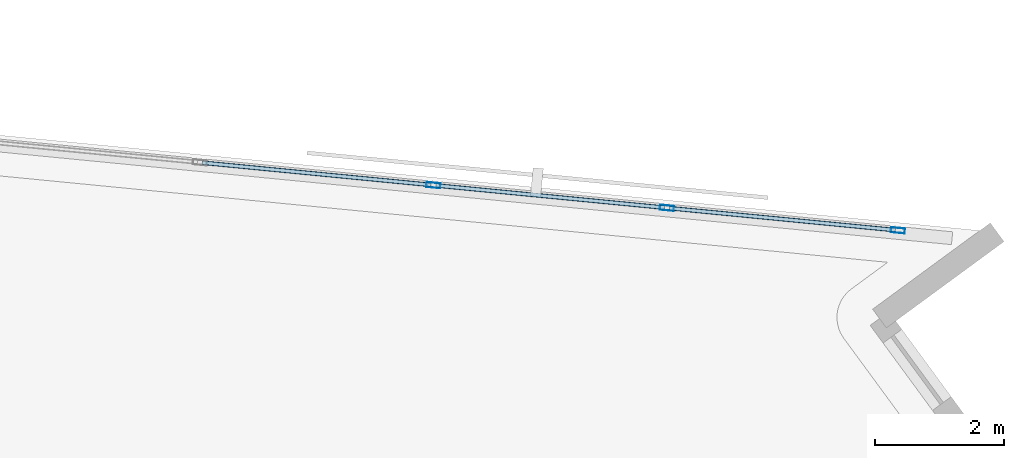
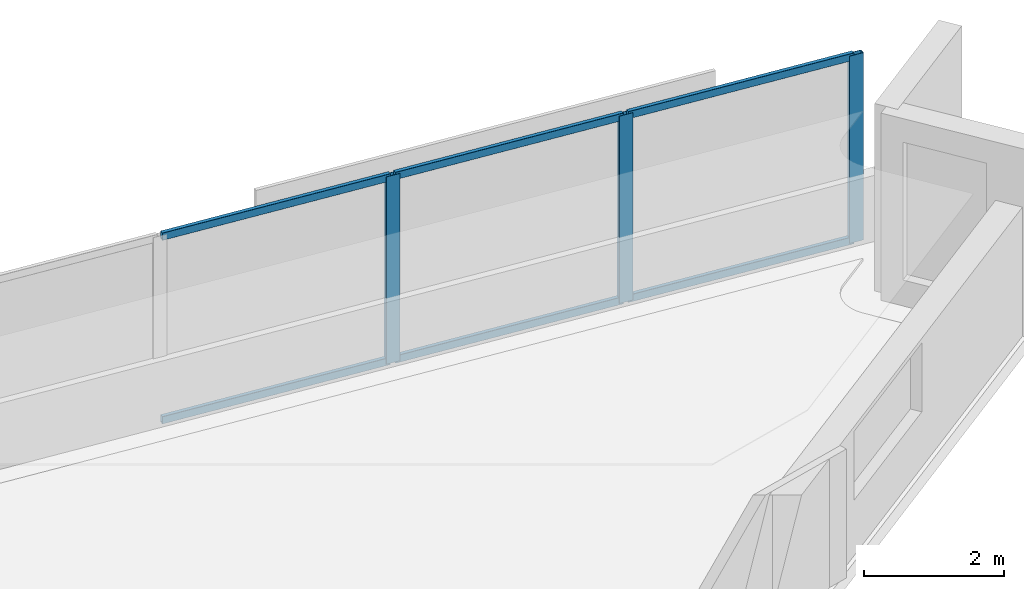
# One storey, part 6 of 13: 9 members, 1 element without a shape of its own.
"""IFC4 building model written with IfcOpenShell, lengths in metres."""

from ifc_helpers import new_model, si_unit, direction, frame, origin, origin_2d, place, context, subcontext, project, spatial, hollow_rectangle, extrude, material, material_profile, profile_set, type_object, element, aggregate, save


model = new_model("IFC4")

# Units and contexts
model_context = context("Model", 3, precision=1e-05, world=origin(), true_north=direction((0.0, 1.0)))
body_context = subcontext(model_context, "Body", "Model", "MODEL_VIEW")
ifc_project = project(units=[si_unit("LENGTHUNIT", "METRE"), si_unit("AREAUNIT", "SQUARE_METRE"), si_unit("VOLUMEUNIT", "CUBIC_METRE"), si_unit("PLANEANGLEUNIT", "RADIAN"), si_unit("MASSUNIT", "GRAM", prefix="KILO")], contexts=[model_context])

# Site, building, storey
site_placement = place(None, origin())
site = spatial("IfcSite", under=ifc_project, at=site_placement, CompositionType="ELEMENT")
building_placement = place(site_placement, origin())
building = spatial("IfcBuilding", under=site, at=building_placement, Name="Narakoshi Arena Tower", CompositionType="ELEMENT")
storey_placement = place(building_placement, frame((0.0, 0.0, 257.219970703125)))
storey = spatial("IfcBuildingStorey", under=building, at=storey_placement, Name="L70", CompositionType="ELEMENT", Elevation=257.219970703125)

# Curtain wall, members
ifc_material = material(Name="Anodised bronze aluminium 6063-T6", Category="aluminium")
curtain_wall_type = type_object("IfcCurtainWallType", Name="CW-HYP-HIGH", PredefinedType="NOTDEFINED", material=ifc_material)
curtain_wall_placement = place(storey_placement, origin())
curtain_wall = element("IfcCurtainWall", 1, at=curtain_wall_placement, inside=storey, type_object=curtain_wall_type, Name="L70 Folded Hypotenuse Curtain Wall 1-1", PredefinedType="NOTDEFINED")
ifc_material_profile_1 = material_profile(ifc_material, hollow_rectangle(XDim=0.080078125, YDim=0.219970703125, WallThickness=0.0048828125, OuterFilletRadius=0.006103515625, at=origin_2d()), Name="MUL220x80x5")
ifc_profile_set_1 = profile_set([ifc_material_profile_1], Name="Anodised bronze aluminium 6063-T6")
member_type_1 = type_object("IfcMemberType", Name="MEM-MUL-220", PredefinedType="MULLION", material=ifc_profile_set_1)
member_1_placement = place(storey_placement, frame((112.25048828125, 60.418701171875, 0.0), z_axis=(0.0, 0.0, 1.0), x_axis=(-0.096851320996, -0.995298860454, 0.0)))
member_1 = element("IfcMember", 2, at=member_1_placement, type_object=member_type_1, Name="CW-03 mullion 1", PredefinedType="MULLION", context=body_context, shape_type="SweptSolid", body=[
    extrude(hollow_rectangle(XDim=0.080078125, YDim=0.219970703125, WallThickness=0.0048828125, OuterFilletRadius=0.006103515625, at=origin_2d()), origin(), (0.0, 0.0, 1.0), 3.260009765625),
])
member_2_placement = place(storey_placement, frame((108.65869140625, 60.768310546875, 0.0), z_axis=(0.0, 0.0, 1.0), x_axis=(-0.096851320996, -0.995298860454, 0.0)))
member_2 = element("IfcMember", 3, at=member_2_placement, type_object=member_type_1, Name="CW-03 mullion 2", PredefinedType="MULLION", context=body_context, shape_type="SweptSolid", body=[
    extrude(hollow_rectangle(XDim=0.080078125, YDim=0.219970703125, WallThickness=0.0048828125, OuterFilletRadius=0.006103515625, at=origin_2d()), origin(), (0.0, 0.0, 1.0), 3.260009765625),
])
member_3_placement = place(storey_placement, frame((105.027099609375, 61.12158203125, 0.0), z_axis=(0.0, 0.0, 1.0), x_axis=(-0.096851320996, -0.995298860454, 0.0)))
member_3 = element("IfcMember", 4, at=member_3_placement, type_object=member_type_1, Name="CW-03 mullion 3", PredefinedType="MULLION", context=body_context, shape_type="SweptSolid", body=[
    extrude(hollow_rectangle(XDim=0.080078125, YDim=0.219970703125, WallThickness=0.0048828125, OuterFilletRadius=0.006103515625, at=origin_2d()), origin(), (0.0, 0.0, 1.0), 3.260009765625),
])
ifc_material_profile_2 = material_profile(ifc_material, hollow_rectangle(XDim=0.06494140625, YDim=0.1298828125, WallThickness=0.00390625, OuterFilletRadius=0.0048828125, at=origin_2d()), Name="TRN130x65x4")
ifc_profile_set_2 = profile_set([ifc_material_profile_2], Name="Anodised bronze aluminium 6063-T6")
member_type_2 = type_object("IfcMemberType", Name="MEM-TRN-130", PredefinedType="USERDEFINED", material=ifc_profile_set_2)
member_4_placement = place(storey_placement, frame((112.210693359375, 60.422607421875, 0.032470703125), z_axis=(-0.995298087829, 0.096859260598, 0.0), x_axis=(-0.096859260598, -0.995298087829, 0.0)))
member_4 = element("IfcMember", 5, at=member_4_placement, type_object=member_type_2, Name="CW-03 transom 1.1", ObjectType="TRANSOM", PredefinedType="USERDEFINED", context=body_context, shape_type="SweptSolid", body=[
    extrude(hollow_rectangle(XDim=0.06494140625, YDim=0.1298828125, WallThickness=0.00390625, OuterFilletRadius=0.0048828125, at=origin_2d()), origin(), (0.0, 0.0, 1.0), 3.52880859375),
])
member_5_placement = place(storey_placement, frame((112.210693359375, 60.422607421875, 3.2275390625), z_axis=(-0.995298087829, 0.096859260598, 0.0), x_axis=(-0.096859260598, -0.995298087829, 0.0)))
member_5 = element("IfcMember", 6, at=member_5_placement, type_object=member_type_2, Name="CW-03 transom 1.2", ObjectType="TRANSOM", PredefinedType="USERDEFINED", context=body_context, shape_type="SweptSolid", body=[
    extrude(hollow_rectangle(XDim=0.06494140625, YDim=0.1298828125, WallThickness=0.00390625, OuterFilletRadius=0.0048828125, at=origin_2d()), origin(), (0.0, 0.0, 1.0), 3.52880859375),
])
member_6_placement = place(storey_placement, frame((108.618896484375, 60.772216796875, 0.032470703125), z_axis=(-0.995303775278, 0.096800800194, 0.0), x_axis=(-0.096800800194, -0.995303775278, 0.0)))
member_6 = element("IfcMember", 7, at=member_6_placement, type_object=member_type_2, Name="CW-03 transom 2.1", ObjectType="TRANSOM", PredefinedType="USERDEFINED", context=body_context, shape_type="SweptSolid", body=[
    extrude(hollow_rectangle(XDim=0.06494140625, YDim=0.1298828125, WallThickness=0.00390625, OuterFilletRadius=0.0048828125, at=origin_2d()), origin(), (0.0, 0.0, 1.0), 3.56884765625),
])
member_7_placement = place(storey_placement, frame((108.618896484375, 60.772216796875, 3.2275390625), z_axis=(-0.995303775278, 0.096800800194, 0.0), x_axis=(-0.096800800194, -0.995303775278, 0.0)))
member_7 = element("IfcMember", 8, at=member_7_placement, type_object=member_type_2, Name="CW-03 transom 2.2", ObjectType="TRANSOM", PredefinedType="USERDEFINED", context=body_context, shape_type="SweptSolid", body=[
    extrude(hollow_rectangle(XDim=0.06494140625, YDim=0.1298828125, WallThickness=0.00390625, OuterFilletRadius=0.0048828125, at=origin_2d()), origin(), (0.0, 0.0, 1.0), 3.56884765625),
])
member_8_placement = place(storey_placement, frame((104.9873046875, 61.12548828125, 0.032470703125), z_axis=(-0.995297181926, 0.096868568947, 0.0), x_axis=(-0.096868568947, -0.995297181926, 0.0)))
member_8 = element("IfcMember", 9, at=member_8_placement, type_object=member_type_2, Name="CW-03 transom 3.1", ObjectType="TRANSOM", PredefinedType="USERDEFINED", context=body_context, shape_type="SweptSolid", body=[
    extrude(hollow_rectangle(XDim=0.06494140625, YDim=0.1298828125, WallThickness=0.00390625, OuterFilletRadius=0.0048828125, at=origin_2d()), origin(), (0.0, 0.0, 1.0), 3.56884765625),
])
member_9_placement = place(storey_placement, frame((104.9873046875, 61.12548828125, 3.2275390625), z_axis=(-0.995297181926, 0.096868568947, 0.0), x_axis=(-0.096868568947, -0.995297181926, 0.0)))
member_9 = element("IfcMember", 10, at=member_9_placement, type_object=member_type_2, Name="CW-03 transom 3.2", ObjectType="TRANSOM", PredefinedType="USERDEFINED", context=body_context, shape_type="SweptSolid", body=[
    extrude(hollow_rectangle(XDim=0.06494140625, YDim=0.1298828125, WallThickness=0.00390625, OuterFilletRadius=0.0048828125, at=origin_2d()), origin(), (0.0, 0.0, 1.0), 3.56884765625),
])
aggregate(curtain_wall, [member_1, member_2, member_3, member_4, member_5, member_6, member_7, member_8, member_9])

save(model, "model.ifc")
